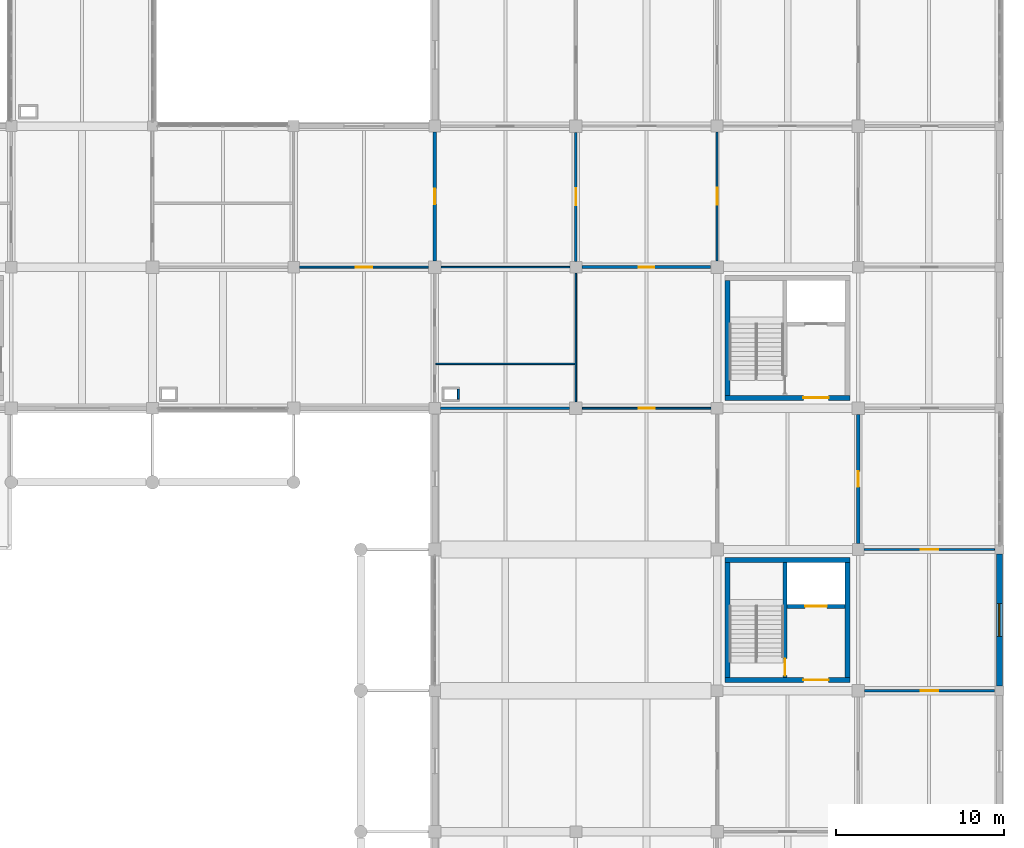
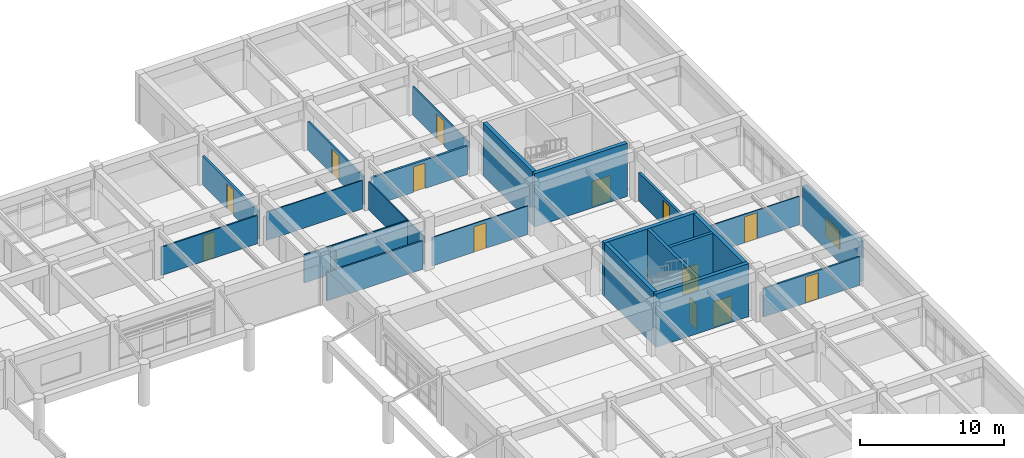
# One storey, part 92 of 99: 23 walls, 13 doors, 1 window, 14 openings.
"""IFC4 building model written with IfcOpenShell, lengths in metres."""

from ifc_helpers import new_model, si_unit, direction, frame, frame_2d, origin, place, context, subcontext, project, spatial, rectangle, extrude, material, layer, layer_set, type_object, element, fill, save


model = new_model("IFC4")

# Units and contexts
model_context = context("Model", 3, precision=1e-05, world=origin(), true_north=direction((0.0, 1.0)))
body_context = subcontext(model_context, "Body", "Model", "MODEL_VIEW")
ifc_project = project(units=[si_unit("LENGTHUNIT", "METRE"), si_unit("AREAUNIT", "SQUARE_METRE"), si_unit("VOLUMEUNIT", "CUBIC_METRE"), si_unit("PLANEANGLEUNIT", "RADIAN"), si_unit("MASSUNIT", "GRAM", prefix="KILO")], contexts=[model_context])

# Site, building, storey
site_placement = place(None, origin())
site = spatial("IfcSite", under=ifc_project, at=site_placement, CompositionType="ELEMENT")
building_placement = place(site_placement, origin())
building = spatial("IfcBuilding", under=site, at=building_placement, Name="Porcellanite Civic Hall", CompositionType="ELEMENT")
storey_placement = place(building_placement, frame((0.0, 0.0, 5.760009765625)))
storey = spatial("IfcBuildingStorey", under=building, at=storey_placement, Name="L01", CompositionType="ELEMENT", Elevation=5.760009765625)

# Wall, opening, door
ifc_material_1 = material(Name="Concrete N40 (40 MPa)", Category="concrete")
ifc_layer_1 = layer(ifc_material_1, 0.239990234375)
ifc_layer_set_1 = layer_set([ifc_layer_1], Name="Concrete N40 (40 MPa)")
wall_type_1 = type_object("IfcWallType", Name="CW-SH240", PredefinedType="SHEAR", material=ifc_layer_set_1)
wall_1_placement = place(storey_placement, frame((163.639892578125, 34.3798828125, 0.0), z_axis=(0.0, 0.0, 1.0), x_axis=(0.0, 1.0, 0.0)))
wall_1 = element("IfcWall", 1, at=wall_1_placement, inside=storey, type_object=wall_type_1, Name="Core divider C7 L01", PredefinedType="SHEAR", context=body_context, shape_type="SweptSolid", body=[
    extrude(rectangle(XDim=6.840087890625, YDim=0.239990234375, at=frame_2d((3.419921875, 0.0))), origin(), (0.0, 0.0, 1.0), 4.5),
])
opening_1_placement = place(wall_1_placement, frame((0.1201171875, 0.0, 0.0)))
opening_1 = element("IfcOpeningElement", 2, at=opening_1_placement, cuts=wall_1, Name="Opening FD-C7-L01-ST", PredefinedType="OPENING", context=body_context, shape_type="SweptSolid", body=[
    extrude(rectangle(XDim=1.0, YDim=2.14990234375, at=frame_2d((0.5, 1.074951171875))), frame((0.0, 0.1201171875, 0.0), z_axis=(0.0, -1.0, 0.0), x_axis=(1.0, 0.0, 0.0)), (0.0, 0.0, 1.0), 0.239990234375),
])
ifc_material_2 = material(Name="Fire-rated solid-core hardwood timber", Category="wood")
door_type_1 = type_object("IfcDoorType", Name="DR-FD100", OperationType="NOTDEFINED", PredefinedType="DOOR", material=ifc_material_2)
door_1_placement = place(opening_1_placement, origin())
door_1 = element("IfcDoor", 3, at=door_1_placement, inside=storey, type_object=door_type_1, Name="Fire stair door FD-C7-L01-ST", OperationType="SINGLE_SWING_RIGHT", OverallHeight=2.14990234375, OverallWidth=1.0, PredefinedType="DOOR", context=body_context, shape_type="SweptSolid", body=[
    extrude(rectangle(XDim=1.0, YDim=2.14990234375, at=frame_2d((0.5, 1.074951171875))), frame((0.0, 0.02490234375, 0.0), z_axis=(0.0, -1.0, 0.0), x_axis=(1.0, 0.0, 0.0)), (0.0, 0.0, 1.0), 0.050048828125),
])
fill(opening_1, door_1)

wall_2_placement = place(storey_placement, frame((163.760009765625, 38.6201171875, 0.0), z_axis=(0.0, 0.0, 1.0), x_axis=(1.0, 0.0, 0.0)))
wall_2 = element("IfcWall", 4, at=wall_2_placement, inside=storey, type_object=wall_type_1, Name="Lift shaft wall C7 L01", PredefinedType="SHEAR", context=body_context, shape_type="SweptSolid", body=[
    extrude(rectangle(XDim=3.4599609375, YDim=0.239990234375, at=frame_2d((1.72998046875, 0.0))), origin(), (0.0, 0.0, 1.0), 4.5),
])
opening_2_placement = place(wall_2_placement, frame((1.080078125, 0.0, 0.0)))
opening_2 = element("IfcOpeningElement", 5, at=opening_2_placement, cuts=wall_2, Name="Opening LD-07", PredefinedType="OPENING", context=body_context, shape_type="SweptSolid", body=[
    extrude(rectangle(XDim=1.300048828125, YDim=2.25, at=frame_2d((0.64990234375, 1.125))), frame((0.0, 0.1201171875, 0.0), z_axis=(0.0, -1.0, 0.0), x_axis=(1.0, 0.0, 0.0)), (0.0, 0.0, 1.0), 0.239990234375),
])
ifc_material_3 = material(Name="Brushed stainless steel 316", Category="steel")
door_type_2 = type_object("IfcDoorType", Name="DR-LD130", OperationType="DOUBLE_DOOR_SLIDING", PredefinedType="DOOR", material=ifc_material_3)
door_2_placement = place(opening_2_placement, origin())
door_2 = element("IfcDoor", 6, at=door_2_placement, inside=storey, type_object=door_type_2, Name="Lift landing sliding door LD-07 L01", OperationType="DOUBLE_DOOR_SLIDING", OverallHeight=2.25, OverallWidth=1.300048828125, PredefinedType="DOOR", context=body_context, shape_type="SweptSolid", body=[
    extrude(rectangle(XDim=1.300048828125, YDim=2.25, at=frame_2d((0.64990234375, 1.125))), frame((0.0, 0.02490234375, 0.0), z_axis=(0.0, -1.0, 0.0), x_axis=(1.0, 0.0, 0.0)), (0.0, 0.0, 1.0), 0.050048828125),
])
fill(opening_2, door_2)

ifc_material_4 = material(Name="Concrete N40 (40 MPa)", Category="concrete")
ifc_layer_2 = layer(ifc_material_4, 0.300048828125)
ifc_layer_set_2 = layer_set([ifc_layer_2], Name="Concrete N40 (40 MPa)")
wall_type_2 = type_object("IfcWallType", Name="CW-SH300", PredefinedType="SHEAR", material=ifc_layer_set_2)
wall_3_placement = place(storey_placement, frame((167.52001953125, 34.22998046875, 0.0), z_axis=(0.0, 0.0, 1.0), x_axis=(-1.0, 0.0, 0.0)))
wall_3 = element("IfcWall", 7, at=wall_3_placement, inside=storey, type_object=wall_type_2, Name="Core wall C7 L01 S", PredefinedType="SHEAR", context=body_context, shape_type="SweptSolid", body=[
    extrude(rectangle(XDim=7.43994140625, YDim=0.300048828125, at=frame_2d((3.719970703125, 0.0))), origin(), (0.0, 0.0, 1.0), 4.5),
])
opening_3_placement = place(wall_3_placement, frame((1.280029296875, 0.0, 0.0)))
opening_3 = element("IfcOpeningElement", 8, at=opening_3_placement, cuts=wall_3, Name="Opening FD-C7-L01-LB", PredefinedType="OPENING", context=body_context, shape_type="SweptSolid", body=[
    extrude(rectangle(XDim=1.5, YDim=2.14990234375, at=frame_2d((0.75, 1.074951171875))), frame((0.0, 0.14990234375, 0.0), z_axis=(0.0, -1.0, 0.0), x_axis=(1.0, 0.0, 0.0)), (0.0, 0.0, 1.0), 0.300048828125),
])
ifc_material_5 = material(Name="Fire-rated steel and Georgian wired glass", Category="steel")
door_type_3 = type_object("IfcDoorType", Name="DR-FD150", OperationType="DOUBLE_DOOR_SINGLE_SWING", PredefinedType="DOOR", material=ifc_material_5)
door_3_placement = place(opening_3_placement, origin())
door_3 = element("IfcDoor", 9, at=door_3_placement, inside=storey, type_object=door_type_3, Name="Fire lobby double door FD-C7-L01-LB", OperationType="DOUBLE_DOOR_SINGLE_SWING", OverallHeight=2.14990234375, OverallWidth=1.5, PredefinedType="DOOR", context=body_context, shape_type="SweptSolid", body=[
    extrude(rectangle(XDim=1.5, YDim=2.14990234375, at=frame_2d((0.75, 1.074951171875))), frame((0.0, 0.02490234375, 0.0), z_axis=(0.0, -1.0, 0.0), x_axis=(1.0, 0.0, 0.0)), (0.0, 0.0, 1.0), 0.050048828125),
])
fill(opening_3, door_3)

# Walls
wall_4_placement = place(storey_placement, frame((160.22998046875, 34.3798828125, 0.0), z_axis=(0.0, 0.0, 1.0), x_axis=(0.0, 1.0, 0.0)))
element("IfcWall", 10, at=wall_4_placement, inside=storey, type_object=wall_type_2, Name="Core wall C7 L01 W", PredefinedType="SHEAR", context=body_context, shape_type="SweptSolid", body=[
    extrude(rectangle(XDim=6.840087890625, YDim=0.300048828125, at=frame_2d((3.419921875, 0.0))), origin(), (0.0, 0.0, 1.0), 4.5),
])
wall_5_placement = place(storey_placement, frame((160.080078125, 41.3701171875, 0.0), z_axis=(0.0, 0.0, 1.0), x_axis=(1.0, 0.0, 0.0)))
element("IfcWall", 11, at=wall_5_placement, inside=storey, type_object=wall_type_2, Name="Core wall C7 L01 N", PredefinedType="SHEAR", context=body_context, shape_type="SweptSolid", body=[
    extrude(rectangle(XDim=7.43994140625, YDim=0.300048828125, at=frame_2d((3.719970703125, 0.0))), origin(), (0.0, 0.0, 1.0), 4.5),
])
wall_6_placement = place(storey_placement, frame((167.3701171875, 41.219970703125, 0.0), z_axis=(0.0, 0.0, 1.0), x_axis=(0.0, -1.0, 0.0)))
element("IfcWall", 12, at=wall_6_placement, inside=storey, type_object=wall_type_2, Name="Core wall C7 L01 E", PredefinedType="SHEAR", context=body_context, shape_type="SweptSolid", body=[
    extrude(rectangle(XDim=6.840087890625, YDim=0.300048828125, at=frame_2d((3.419921875, 0.0))), origin(), (0.0, 0.0, 1.0), 4.5),
])

# Wall, opening, door
wall_7_placement = place(storey_placement, frame((167.52001953125, 51.030029296875, 0.0), z_axis=(0.0, 0.0, 1.0), x_axis=(-1.0, 0.0, 0.0)))
wall_7 = element("IfcWall", 13, at=wall_7_placement, inside=storey, type_object=wall_type_2, Name="Core wall C8 L01 S", PredefinedType="SHEAR", context=body_context, shape_type="SweptSolid", body=[
    extrude(rectangle(XDim=7.43994140625, YDim=0.300048828125, at=frame_2d((3.719970703125, 0.0))), origin(), (0.0, 0.0, 1.0), 4.5),
])
opening_4_placement = place(wall_7_placement, frame((1.280029296875, 0.0, 0.0)))
opening_4 = element("IfcOpeningElement", 14, at=opening_4_placement, cuts=wall_7, Name="Opening FD-C8-L01-LB", PredefinedType="OPENING", context=body_context, shape_type="SweptSolid", body=[
    extrude(rectangle(XDim=1.5, YDim=2.14990234375, at=frame_2d((0.75, 1.074951171875))), frame((0.0, 0.14990234375, 0.0), z_axis=(0.0, -1.0, 0.0), x_axis=(1.0, 0.0, 0.0)), (0.0, 0.0, 1.0), 0.300048828125),
])
door_4_placement = place(opening_4_placement, origin())
door_4 = element("IfcDoor", 15, at=door_4_placement, inside=storey, type_object=door_type_3, Name="Fire lobby double door FD-C8-L01-LB", OperationType="DOUBLE_DOOR_SINGLE_SWING", OverallHeight=2.14990234375, OverallWidth=1.5, PredefinedType="DOOR", context=body_context, shape_type="SweptSolid", body=[
    extrude(rectangle(XDim=1.5, YDim=2.14990234375, at=frame_2d((0.75, 1.074951171875))), frame((0.0, 0.02490234375, 0.0), z_axis=(0.0, -1.0, 0.0), x_axis=(1.0, 0.0, 0.0)), (0.0, 0.0, 1.0), 0.050048828125),
])
fill(opening_4, door_4)

# Wall
wall_8_placement = place(storey_placement, frame((160.22998046875, 51.179931640625, 0.0), z_axis=(0.0, 0.0, 1.0), x_axis=(0.0, 1.0, 0.0)))
element("IfcWall", 16, at=wall_8_placement, inside=storey, type_object=wall_type_2, Name="Core wall C8 L01 W", PredefinedType="SHEAR", context=body_context, shape_type="SweptSolid", body=[
    extrude(rectangle(XDim=6.840087890625, YDim=0.300048828125, at=frame_2d((3.419921875, 0.0))), origin(), (0.0, 0.0, 1.0), 4.5),
])

# Wall, opening, window
ifc_material_6 = material(Name="Precast concrete N40 (40 MPa)", Category="concrete")
ifc_layer_3 = layer(ifc_material_6, 0.360107421875)
ifc_layer_set_3 = layer_set([ifc_layer_3], Name="Precast concrete N40 (40 MPa)")
wall_type_3 = type_object("IfcWallType", Name="EW-LIB360", PredefinedType="SOLIDWALL", material=ifc_layer_set_3)
wall_9_placement = place(storey_placement, frame((176.39990234375, 41.72412109375, 0.0), z_axis=(0.0, 0.0, 1.0), x_axis=(0.0, -1.0, 0.0)))
wall_9 = element("IfcWall", 17, at=wall_9_placement, inside=storey, type_object=wall_type_3, Name="Exterior wall L01 E 21-5", PredefinedType="SOLIDWALL", context=body_context, shape_type="SweptSolid", body=[
    extrude(rectangle(XDim=7.84814453125, YDim=0.360107421875, at=frame_2d((3.924072265625, 0.0))), origin(), (0.0, 0.0, 1.0), 3.39990234375),
])
opening_5_placement = place(wall_9_placement, frame((2.948974609375, 0.0, 0.89990234375)))
opening_5 = element("IfcOpeningElement", 18, at=opening_5_placement, cuts=wall_9, Name="Opening W35", PredefinedType="OPENING", context=body_context, shape_type="SweptSolid", body=[
    extrude(rectangle(XDim=1.949951171875, YDim=1.60009765625, at=frame_2d((0.97509765625, 0.800048828125))), frame((0.0, 0.18017578125, 0.0), z_axis=(0.0, -1.0, 0.0), x_axis=(1.0, 0.0, 0.0)), (0.0, 0.0, 1.0), 0.360107421875),
])
ifc_material_7 = material(Name="Cyclone laminated low-E glazing in anodised aluminium frame", Category="aluminium")
window_type = type_object("IfcWindowType", Name="WN-35", PartitioningType="DOUBLE_PANEL_VERTICAL", PredefinedType="WINDOW", material=ifc_material_7)
window_placement = place(opening_5_placement, origin())
window = element("IfcWindow", 19, at=window_placement, inside=storey, type_object=window_type, Name="Window W35 L01 E 21-5", OverallHeight=1.60009765625, OverallWidth=1.949951171875, PartitioningType="SINGLE_PANEL", PredefinedType="WINDOW", context=body_context, shape_type="SweptSolid", body=[
    extrude(rectangle(XDim=1.949951171875, YDim=1.60009765625, at=frame_2d((0.97509765625, 0.800048828125))), frame((0.0, 0.030029296875, 0.0), z_axis=(0.0, -1.0, 0.0), x_axis=(1.0, 0.0, 0.0)), (0.0, 0.0, 1.0), 0.06005859375),
])
fill(opening_5, window)

# Walls
ifc_material_8 = material(Name="Fire-rated shaftwall plasterboard on steel studs", Category="steel")
ifc_layer_4 = layer(ifc_material_8, 0.117919921875)
ifc_layer_set_4 = layer_set([ifc_layer_4], Name="Fire-rated shaftwall plasterboard on steel studs")
wall_type_4 = type_object("IfcWallType", Name="IW-FR118", PredefinedType="PARTITIONING", material=ifc_layer_set_4)
wall_10_placement = place(storey_placement, frame((144.208984375, 50.949951171875, 0.0), z_axis=(0.0, 0.0, 1.0), x_axis=(0.0, 1.0, 0.0)))
element("IfcWall", 20, at=wall_10_placement, inside=storey, type_object=wall_type_4, Name="Fire riser shaftwall E L01 17-6", PredefinedType="PARTITIONING", context=body_context, shape_type="SweptSolid", body=[
    extrude(rectangle(XDim=0.60009765625, YDim=0.117919921875, at=frame_2d((0.300048828125, 0.0))), origin(), (0.0, 0.0, 1.0), 3.47998046875),
])
ifc_material_9 = material(Name="Insulated acoustic plasterboard on light-gauge steel studs", Category="steel")
ifc_layer_5 = layer(ifc_material_9, 0.087890625)
ifc_layer_set_5 = layer_set([ifc_layer_5], Name="Insulated acoustic plasterboard on light-gauge steel studs")
wall_type_5 = type_object("IfcWallType", Name="IW-PT088", PredefinedType="PARTITIONING", material=ifc_layer_set_5)
for number, where, z_axis, x_axis, name in (
    (21, (143.177001953125, 58.800048828125, 0.0), (0.0, 0.0, 1.0), (1.0, 0.0, 0.0), "Partition L01 H 18-7"),
    (22, (151.199951171875, 50.777099609375, 0.0), (0.0, 0.0, 1.0), (0.0, 1.0, 0.0), "Partition L01 V 18-7"),
):
    element("IfcWall", number, at=place(storey_placement, frame(where, z_axis=z_axis, x_axis=x_axis)), inside=storey, type_object=wall_type_5, Name=name, PredefinedType="PARTITIONING", context=body_context, shape_type="SweptSolid", body=[
        extrude(rectangle(XDim=7.6708984375, YDim=0.087890625, at=frame_2d((3.83544921875, 0.0))), origin(), (0.0, 0.0, 1.0), 2.39990234375),
    ])
wall_11_placement = place(storey_placement, frame((142.859619140625, 53.050048828125, 0.0), z_axis=(0.0, 0.0, 1.0), x_axis=(1.0, 0.0, 0.0)))
element("IfcWall", 23, at=wall_11_placement, inside=storey, type_object=wall_type_5, Name="Partition L01 sub 18-7", PredefinedType="PARTITIONING", context=body_context, shape_type="SweptSolid", body=[
    extrude(rectangle(XDim=8.29443359375, YDim=0.087890625, at=frame_2d((4.147216796875, 0.0))), origin(), (0.0, 0.0, 1.0), 2.39990234375),
])

# Wall, opening, door
ifc_material_10 = material(Name="Insulated acoustic plasterboard on light-gauge steel studs", Category="steel")
ifc_layer_6 = layer(ifc_material_10, 0.094970703125)
ifc_layer_set_6 = layer_set([ifc_layer_6], Name="Insulated acoustic plasterboard on light-gauge steel studs")
wall_type_6 = type_object("IfcWallType", Name="IW-PT095", PredefinedType="PARTITIONING", material=ifc_layer_set_6)
wall_12_placement = place(storey_placement, frame((168.35205078125, 42.0, 0.0), z_axis=(0.0, 0.0, 1.0), x_axis=(1.0, 0.0, 0.0)))
wall_12 = element("IfcWall", 24, at=wall_12_placement, inside=storey, type_object=wall_type_6, Name="Partition L01 H 21-5", PredefinedType="PARTITIONING", context=body_context, shape_type="SweptSolid", body=[
    extrude(rectangle(XDim=7.77099609375, YDim=0.094970703125, at=frame_2d((3.885498046875, 0.0))), origin(), (0.0, 0.0, 1.0), 2.39990234375),
])
opening_6_placement = place(wall_12_placement, frame((3.364990234375, 0.0, 0.0)))
opening_6 = element("IfcOpeningElement", 25, at=opening_6_placement, cuts=wall_12, Name="Opening D-L01-275", PredefinedType="OPENING", context=body_context, shape_type="SweptSolid", body=[
    extrude(rectangle(XDim=1.0400390625, YDim=2.199951171875, at=frame_2d((0.52001953125, 1.10009765625))), frame((0.0, 0.04736328125, 0.0), z_axis=(0.0, -1.0, 0.0), x_axis=(1.0, 0.0, 0.0)), (0.0, 0.0, 1.0), 0.094970703125),
])
ifc_material_11 = material(Name="Solid-core spotted-gum timber", Category="wood")
door_type_4 = type_object("IfcDoorType", Name="DR-RM104", OperationType="NOTDEFINED", PredefinedType="DOOR", material=ifc_material_11)
door_5_placement = place(opening_6_placement, origin())
door_5 = element("IfcDoor", 26, at=door_5_placement, inside=storey, type_object=door_type_4, Name="Interior door D-L01-275", OperationType="SINGLE_SWING_LEFT", OverallHeight=2.199951171875, OverallWidth=1.0400390625, PredefinedType="DOOR", context=body_context, shape_type="SweptSolid", body=[
    extrude(rectangle(XDim=1.0400390625, YDim=2.199951171875, at=frame_2d((0.52001953125, 1.10009765625))), frame((0.0, 0.02490234375, 0.0), z_axis=(0.0, -1.0, 0.0), x_axis=(1.0, 0.0, 0.0)), (0.0, 0.0, 1.0), 0.050048828125),
])
fill(opening_6, door_5)

ifc_material_12 = material(Name="Insulated acoustic plasterboard on light-gauge steel studs", Category="steel")
ifc_layer_7 = layer(ifc_material_12, 0.10498046875)
ifc_layer_set_7 = layer_set([ifc_layer_7], Name="Insulated acoustic plasterboard on light-gauge steel studs")
wall_type_7 = type_object("IfcWallType", Name="IW-PT105", PredefinedType="PARTITIONING", material=ifc_layer_set_7)
wall_13_placement = place(storey_placement, frame((151.576904296875, 50.39990234375, 0.0), z_axis=(0.0, 0.0, 1.0), x_axis=(1.0, 0.0, 0.0)))
wall_13 = element("IfcWall", 27, at=wall_13_placement, inside=storey, type_object=wall_type_7, Name="Partition L01 H 19-6", PredefinedType="PARTITIONING", context=body_context, shape_type="SweptSolid", body=[
    extrude(rectangle(XDim=7.671142578125, YDim=0.10498046875, at=frame_2d((3.83544921875, 0.0))), origin(), (0.0, 0.0, 1.0), 2.39990234375),
])
opening_7_placement = place(wall_13_placement, frame((3.364990234375, 0.0, 0.0)))
opening_7 = element("IfcOpeningElement", 28, at=opening_7_placement, cuts=wall_13, Name="Opening D-L01-241", PredefinedType="OPENING", context=body_context, shape_type="SweptSolid", body=[
    extrude(rectangle(XDim=0.93994140625, YDim=2.14990234375, at=frame_2d((0.469970703125, 1.074951171875))), frame((0.0, 0.052490234375, 0.0), z_axis=(0.0, -1.0, 0.0), x_axis=(1.0, 0.0, 0.0)), (0.0, 0.0, 1.0), 0.10498046875),
])
ifc_material_13 = material(Name="Solid-core spotted-gum timber", Category="wood")
door_type_5 = type_object("IfcDoorType", Name="DR-RM094", OperationType="NOTDEFINED", PredefinedType="DOOR", material=ifc_material_13)
door_6_placement = place(opening_7_placement, origin())
door_6 = element("IfcDoor", 29, at=door_6_placement, inside=storey, type_object=door_type_5, Name="Interior door D-L01-241", OperationType="SINGLE_SWING_LEFT", OverallHeight=2.14990234375, OverallWidth=0.93994140625, PredefinedType="DOOR", context=body_context, shape_type="SweptSolid", body=[
    extrude(rectangle(XDim=0.93994140625, YDim=2.14990234375, at=frame_2d((0.469970703125, 1.074951171875))), frame((0.0, 0.02490234375, 0.0), z_axis=(0.0, -1.0, 0.0), x_axis=(1.0, 0.0, 0.0)), (0.0, 0.0, 1.0), 0.050048828125),
])
fill(opening_7, door_6)

ifc_material_14 = material(Name="Insulated acoustic plasterboard on light-gauge steel studs", Category="steel")
ifc_layer_8 = layer(ifc_material_14, 0.114990234375)
ifc_layer_set_8 = layer_set([ifc_layer_8], Name="Insulated acoustic plasterboard on light-gauge steel studs")
wall_type_8 = type_object("IfcWallType", Name="IW-PT115", PredefinedType="PARTITIONING", material=ifc_layer_set_8)
wall_14_placement = place(storey_placement, frame((134.751953125, 58.800048828125, 0.0), z_axis=(0.0, 0.0, 1.0), x_axis=(1.0, 0.0, 0.0)))
wall_14 = element("IfcWall", 30, at=wall_14_placement, inside=storey, type_object=wall_type_8, Name="Partition L01 H 17-7", PredefinedType="PARTITIONING", context=body_context, shape_type="SweptSolid", body=[
    extrude(rectangle(XDim=7.671142578125, YDim=0.114990234375, at=frame_2d((3.83544921875, 0.0))), origin(), (0.0, 0.0, 1.0), 2.39990234375),
])
opening_8_placement = place(wall_14_placement, frame((3.35595703125, 0.0, 0.0)))
opening_8 = element("IfcOpeningElement", 31, at=opening_8_placement, cuts=wall_14, Name="Opening D-L01-201", PredefinedType="OPENING", context=body_context, shape_type="SweptSolid", body=[
    extrude(rectangle(XDim=0.9599609375, YDim=2.179931640625, at=frame_2d((0.47998046875, 1.08984375))), frame((0.0, 0.0576171875, 0.0), z_axis=(0.0, -1.0, 0.0), x_axis=(1.0, 0.0, 0.0)), (0.0, 0.0, 1.0), 0.114990234375),
])
ifc_material_15 = material(Name="Solid-core spotted-gum timber", Category="wood")
door_type_6 = type_object("IfcDoorType", Name="DR-RM096", OperationType="NOTDEFINED", PredefinedType="DOOR", material=ifc_material_15)
door_7_placement = place(opening_8_placement, origin())
door_7 = element("IfcDoor", 32, at=door_7_placement, inside=storey, type_object=door_type_6, Name="Interior door D-L01-201", OperationType="SINGLE_SWING_RIGHT", OverallHeight=2.179931640625, OverallWidth=0.9599609375, PredefinedType="DOOR", context=body_context, shape_type="SweptSolid", body=[
    extrude(rectangle(XDim=0.9599609375, YDim=2.179931640625, at=frame_2d((0.47998046875, 1.08984375))), frame((0.0, 0.02490234375, 0.0), z_axis=(0.0, -1.0, 0.0), x_axis=(1.0, 0.0, 0.0)), (0.0, 0.0, 1.0), 0.050048828125),
])
fill(opening_8, door_7)

ifc_material_16 = material(Name="Insulated acoustic plasterboard on light-gauge steel studs", Category="steel")
ifc_layer_9 = layer(ifc_material_16, 0.125)
ifc_layer_set_9 = layer_set([ifc_layer_9], Name="Insulated acoustic plasterboard on light-gauge steel studs")
wall_type_9 = type_object("IfcWallType", Name="IW-PT125", PredefinedType="PARTITIONING", material=ifc_layer_set_9)
wall_15_placement = place(storey_placement, frame((159.60009765625, 59.177001953125, 0.0), z_axis=(0.0, 0.0, 1.0), x_axis=(0.0, 1.0, 0.0)))
wall_15 = element("IfcWall", 33, at=wall_15_placement, inside=storey, type_object=wall_type_9, Name="Partition L01 V 19-8", PredefinedType="PARTITIONING", context=body_context, shape_type="SweptSolid", body=[
    extrude(rectangle(XDim=7.6708984375, YDim=0.125, at=frame_2d((3.83544921875, 0.0))), origin(), (0.0, 0.0, 1.0), 2.39990234375),
])
opening_9_placement = place(wall_15_placement, frame((3.3310546875, 0.0, 0.0)))
opening_9 = element("IfcOpeningElement", 34, at=opening_9_placement, cuts=wall_15, Name="Opening D-L01-270", PredefinedType="OPENING", context=body_context, shape_type="SweptSolid", body=[
    extrude(rectangle(XDim=1.010009765625, YDim=2.1201171875, at=frame_2d((0.5048828125, 1.06005859375))), frame((0.0, 0.0625, 0.0), z_axis=(0.0, -1.0, 0.0), x_axis=(1.0, 0.0, 0.0)), (0.0, 0.0, 1.0), 0.125),
])
ifc_material_17 = material(Name="Solid-core spotted-gum timber", Category="wood")
door_type_7 = type_object("IfcDoorType", Name="DR-RM101", OperationType="NOTDEFINED", PredefinedType="DOOR", material=ifc_material_17)
door_8_placement = place(opening_9_placement, origin())
door_8 = element("IfcDoor", 35, at=door_8_placement, inside=storey, type_object=door_type_7, Name="Interior door D-L01-270", OperationType="SINGLE_SWING_RIGHT", OverallHeight=2.1201171875, OverallWidth=1.010009765625, PredefinedType="DOOR", context=body_context, shape_type="SweptSolid", body=[
    extrude(rectangle(XDim=1.010009765625, YDim=2.1201171875, at=frame_2d((0.5048828125, 1.06005859375))), frame((0.0, 0.02490234375, 0.0), z_axis=(0.0, -1.0, 0.0), x_axis=(1.0, 0.0, 0.0)), (0.0, 0.0, 1.0), 0.050048828125),
])
fill(opening_9, door_8)

# Wall
ifc_material_18 = material(Name="Insulated acoustic plasterboard on light-gauge steel studs", Category="steel")
ifc_layer_10 = layer(ifc_material_18, 0.135009765625)
ifc_layer_set_10 = layer_set([ifc_layer_10], Name="Insulated acoustic plasterboard on light-gauge steel studs")
wall_type_10 = type_object("IfcWallType", Name="IW-PT135", PredefinedType="PARTITIONING", material=ifc_layer_set_10)
wall_16_placement = place(storey_placement, frame((143.152099609375, 50.39990234375, 0.0), z_axis=(0.0, 0.0, 1.0), x_axis=(1.0, 0.0, 0.0)))
element("IfcWall", 36, at=wall_16_placement, inside=storey, type_object=wall_type_10, Name="Partition L01 H 18-6", PredefinedType="PARTITIONING", context=body_context, shape_type="SweptSolid", body=[
    extrude(rectangle(XDim=7.6708984375, YDim=0.135009765625, at=frame_2d((3.83544921875, 0.0))), origin(), (0.0, 0.0, 1.0), 2.39990234375),
])

# Wall, opening, door
ifc_material_19 = material(Name="Insulated acoustic plasterboard on light-gauge steel studs", Category="steel")
ifc_layer_11 = layer(ifc_material_19, 0.14501953125)
ifc_layer_set_11 = layer_set([ifc_layer_11], Name="Insulated acoustic plasterboard on light-gauge steel studs")
wall_type_11 = type_object("IfcWallType", Name="IW-PT145", PredefinedType="PARTITIONING", material=ifc_layer_set_11)
wall_17_placement = place(storey_placement, frame((168.376953125, 33.60009765625, 0.0), z_axis=(0.0, 0.0, 1.0), x_axis=(1.0, 0.0, 0.0)))
wall_17 = element("IfcWall", 37, at=wall_17_placement, inside=storey, type_object=wall_type_11, Name="Partition L01 H 21-4", PredefinedType="PARTITIONING", context=body_context, shape_type="SweptSolid", body=[
    extrude(rectangle(XDim=7.74609375, YDim=0.14501953125, at=frame_2d((3.873046875, 0.0))), origin(), (0.0, 0.0, 1.0), 2.39990234375),
])
opening_10_placement = place(wall_17_placement, frame((3.35302734375, 0.0, 0.0)))
opening_10 = element("IfcOpeningElement", 38, at=opening_10_placement, cuts=wall_17, Name="Opening D-L01-249", PredefinedType="OPENING", context=body_context, shape_type="SweptSolid", body=[
    extrude(rectangle(XDim=1.0400390625, YDim=2.199951171875, at=frame_2d((0.52001953125, 1.10009765625))), frame((0.0, 0.072509765625, 0.0), z_axis=(0.0, -1.0, 0.0), x_axis=(1.0, 0.0, 0.0)), (0.0, 0.0, 1.0), 0.14501953125),
])
door_9_placement = place(opening_10_placement, origin())
door_9 = element("IfcDoor", 39, at=door_9_placement, inside=storey, type_object=door_type_4, Name="Interior door D-L01-249", OperationType="SINGLE_SWING_LEFT", OverallHeight=2.199951171875, OverallWidth=1.0400390625, PredefinedType="DOOR", context=body_context, shape_type="SweptSolid", body=[
    extrude(rectangle(XDim=1.0400390625, YDim=2.199951171875, at=frame_2d((0.52001953125, 1.10009765625))), frame((0.0, 0.02490234375, 0.0), z_axis=(0.0, -1.0, 0.0), x_axis=(1.0, 0.0, 0.0)), (0.0, 0.0, 1.0), 0.050048828125),
])
fill(opening_10, door_9)

ifc_material_20 = material(Name="Insulated acoustic plasterboard on light-gauge steel studs", Category="steel")
ifc_layer_12 = layer(ifc_material_20, 0.155029296875)
ifc_layer_set_12 = layer_set([ifc_layer_12], Name="Insulated acoustic plasterboard on light-gauge steel studs")
wall_type_12 = type_object("IfcWallType", Name="IW-PT155", PredefinedType="PARTITIONING", material=ifc_layer_set_12)
wall_18_placement = place(storey_placement, frame((151.199951171875, 59.152099609375, 0.0), z_axis=(0.0, 0.0, 1.0), x_axis=(0.0, 1.0, 0.0)))
wall_18 = element("IfcWall", 40, at=wall_18_placement, inside=storey, type_object=wall_type_12, Name="Partition L01 V 18-8", PredefinedType="PARTITIONING", context=body_context, shape_type="SweptSolid", body=[
    extrude(rectangle(XDim=7.6708984375, YDim=0.155029296875, at=frame_2d((3.83544921875, 0.0))), origin(), (0.0, 0.0, 1.0), 2.39990234375),
])
opening_11_placement = place(wall_18_placement, frame((3.3310546875, 0.0, 0.0)))
opening_11 = element("IfcOpeningElement", 41, at=opening_11_placement, cuts=wall_18, Name="Opening D-L01-296", PredefinedType="OPENING", context=body_context, shape_type="SweptSolid", body=[
    extrude(rectangle(XDim=1.010009765625, YDim=2.1201171875, at=frame_2d((0.5048828125, 1.06005859375))), frame((0.0, 0.07763671875, 0.0), z_axis=(0.0, -1.0, 0.0), x_axis=(1.0, 0.0, 0.0)), (0.0, 0.0, 1.0), 0.155029296875),
])
door_10_placement = place(opening_11_placement, origin())
door_10 = element("IfcDoor", 42, at=door_10_placement, inside=storey, type_object=door_type_7, Name="Interior door D-L01-296", OperationType="SINGLE_SWING_RIGHT", OverallHeight=2.1201171875, OverallWidth=1.010009765625, PredefinedType="DOOR", context=body_context, shape_type="SweptSolid", body=[
    extrude(rectangle(XDim=1.010009765625, YDim=2.1201171875, at=frame_2d((0.5048828125, 1.06005859375))), frame((0.0, 0.02490234375, 0.0), z_axis=(0.0, -1.0, 0.0), x_axis=(1.0, 0.0, 0.0)), (0.0, 0.0, 1.0), 0.050048828125),
])
fill(opening_11, door_10)

ifc_material_21 = material(Name="Insulated acoustic plasterboard on light-gauge steel studs", Category="steel")
ifc_layer_13 = layer(ifc_material_21, 0.175048828125)
ifc_layer_set_13 = layer_set([ifc_layer_13], Name="Insulated acoustic plasterboard on light-gauge steel studs")
wall_type_13 = type_object("IfcWallType", Name="IW-PT175", PredefinedType="PARTITIONING", material=ifc_layer_set_13)
wall_19_placement = place(storey_placement, frame((151.552001953125, 58.800048828125, 0.0), z_axis=(0.0, 0.0, 1.0), x_axis=(1.0, 0.0, 0.0)))
wall_19 = element("IfcWall", 43, at=wall_19_placement, inside=storey, type_object=wall_type_13, Name="Partition L01 H 19-7", PredefinedType="PARTITIONING", context=body_context, shape_type="SweptSolid", body=[
    extrude(rectangle(XDim=7.6708984375, YDim=0.175048828125, at=frame_2d((3.83544921875, 0.0))), origin(), (0.0, 0.0, 1.0), 2.39990234375),
])
opening_12_placement = place(wall_19_placement, frame((3.3759765625, 0.0, 0.0)))
opening_12 = element("IfcOpeningElement", 44, at=opening_12_placement, cuts=wall_19, Name="Opening D-L01-242", PredefinedType="OPENING", context=body_context, shape_type="SweptSolid", body=[
    extrude(rectangle(XDim=0.919921875, YDim=2.14990234375, at=frame_2d((0.4599609375, 1.074951171875))), frame((0.0, 0.08740234375, 0.0), z_axis=(0.0, -1.0, 0.0), x_axis=(1.0, 0.0, 0.0)), (0.0, 0.0, 1.0), 0.175048828125),
])
ifc_material_22 = material(Name="Solid-core spotted-gum timber", Category="wood")
door_type_8 = type_object("IfcDoorType", Name="DR-RM092", OperationType="NOTDEFINED", PredefinedType="DOOR", material=ifc_material_22)
door_11_placement = place(opening_12_placement, origin())
door_11 = element("IfcDoor", 45, at=door_11_placement, inside=storey, type_object=door_type_8, Name="Interior door D-L01-242", OperationType="SINGLE_SWING_RIGHT", OverallHeight=2.14990234375, OverallWidth=0.919921875, PredefinedType="DOOR", context=body_context, shape_type="SweptSolid", body=[
    extrude(rectangle(XDim=0.919921875, YDim=2.14990234375, at=frame_2d((0.4599609375, 1.074951171875))), frame((0.0, 0.02490234375, 0.0), z_axis=(0.0, -1.0, 0.0), x_axis=(1.0, 0.0, 0.0)), (0.0, 0.0, 1.0), 0.050048828125),
])
fill(opening_12, door_11)

ifc_material_23 = material(Name="Insulated acoustic plasterboard on light-gauge steel studs", Category="steel")
ifc_layer_14 = layer(ifc_material_23, 0.18505859375)
ifc_layer_set_14 = layer_set([ifc_layer_14], Name="Insulated acoustic plasterboard on light-gauge steel studs")
wall_type_14 = type_object("IfcWallType", Name="IW-PT185", PredefinedType="PARTITIONING", material=ifc_layer_set_14)
wall_20_placement = place(storey_placement, frame((142.800048828125, 59.177001953125, 0.0), z_axis=(0.0, 0.0, 1.0), x_axis=(0.0, 1.0, 0.0)))
wall_20 = element("IfcWall", 46, at=wall_20_placement, inside=storey, type_object=wall_type_14, Name="Partition L01 V 17-8", PredefinedType="PARTITIONING", context=body_context, shape_type="SweptSolid", body=[
    extrude(rectangle(XDim=7.6708984375, YDim=0.18505859375, at=frame_2d((3.83544921875, 0.0))), origin(), (0.0, 0.0, 1.0), 2.39990234375),
])
opening_13_placement = place(wall_20_placement, frame((3.3759765625, 0.0, 0.0)))
opening_13 = element("IfcOpeningElement", 47, at=opening_13_placement, cuts=wall_20, Name="Opening D-L01-268", PredefinedType="OPENING", context=body_context, shape_type="SweptSolid", body=[
    extrude(rectangle(XDim=0.919921875, YDim=2.14990234375, at=frame_2d((0.4599609375, 1.074951171875))), frame((0.0, 0.092529296875, 0.0), z_axis=(0.0, -1.0, 0.0), x_axis=(1.0, 0.0, 0.0)), (0.0, 0.0, 1.0), 0.18505859375),
])
door_12_placement = place(opening_13_placement, origin())
door_12 = element("IfcDoor", 48, at=door_12_placement, inside=storey, type_object=door_type_8, Name="Interior door D-L01-268", OperationType="SINGLE_SWING_RIGHT", OverallHeight=2.14990234375, OverallWidth=0.919921875, PredefinedType="DOOR", context=body_context, shape_type="SweptSolid", body=[
    extrude(rectangle(XDim=0.919921875, YDim=2.14990234375, at=frame_2d((0.4599609375, 1.074951171875))), frame((0.0, 0.02490234375, 0.0), z_axis=(0.0, -1.0, 0.0), x_axis=(1.0, 0.0, 0.0)), (0.0, 0.0, 1.0), 0.050048828125),
])
fill(opening_13, door_12)

ifc_material_24 = material(Name="Insulated acoustic plasterboard on light-gauge steel studs", Category="steel")
ifc_layer_15 = layer(ifc_material_24, 0.195068359375)
ifc_layer_set_15 = layer_set([ifc_layer_15], Name="Insulated acoustic plasterboard on light-gauge steel studs")
wall_type_15 = type_object("IfcWallType", Name="IW-PT195", PredefinedType="PARTITIONING", material=ifc_layer_set_15)
wall_21_placement = place(storey_placement, frame((168.0, 42.35205078125, 0.0), z_axis=(0.0, 0.0, 1.0), x_axis=(0.0, 1.0, 0.0)))
wall_21 = element("IfcWall", 49, at=wall_21_placement, inside=storey, type_object=wall_type_15, Name="Partition L01 V 20-6", PredefinedType="PARTITIONING", context=body_context, shape_type="SweptSolid", body=[
    extrude(rectangle(XDim=7.6708984375, YDim=0.195068359375, at=frame_2d((3.83544921875, 0.0))), origin(), (0.0, 0.0, 1.0), 2.39990234375),
])
opening_14_placement = place(wall_21_placement, frame((3.37109375, 0.0, 0.0)))
opening_14 = element("IfcOpeningElement", 50, at=opening_14_placement, cuts=wall_21, Name="Opening D-L01-220", PredefinedType="OPENING", context=body_context, shape_type="SweptSolid", body=[
    extrude(rectangle(XDim=0.929931640625, YDim=2.1201171875, at=frame_2d((0.46484375, 1.06005859375))), frame((0.0, 0.09765625, 0.0), z_axis=(0.0, -1.0, 0.0), x_axis=(1.0, 0.0, 0.0)), (0.0, 0.0, 1.0), 0.195068359375),
])
ifc_material_25 = material(Name="Solid-core spotted-gum timber", Category="wood")
door_type_9 = type_object("IfcDoorType", Name="DR-RM093", OperationType="NOTDEFINED", PredefinedType="DOOR", material=ifc_material_25)
door_13_placement = place(opening_14_placement, origin())
door_13 = element("IfcDoor", 51, at=door_13_placement, inside=storey, type_object=door_type_9, Name="Interior door D-L01-220", OperationType="SINGLE_SWING_RIGHT", OverallHeight=2.1201171875, OverallWidth=0.929931640625, PredefinedType="DOOR", context=body_context, shape_type="SweptSolid", body=[
    extrude(rectangle(XDim=0.929931640625, YDim=2.1201171875, at=frame_2d((0.46484375, 1.06005859375))), frame((0.0, 0.02490234375, 0.0), z_axis=(0.0, -1.0, 0.0), x_axis=(1.0, 0.0, 0.0)), (0.0, 0.0, 1.0), 0.050048828125),
])
fill(opening_14, door_13)

save(model, "model.ifc")
